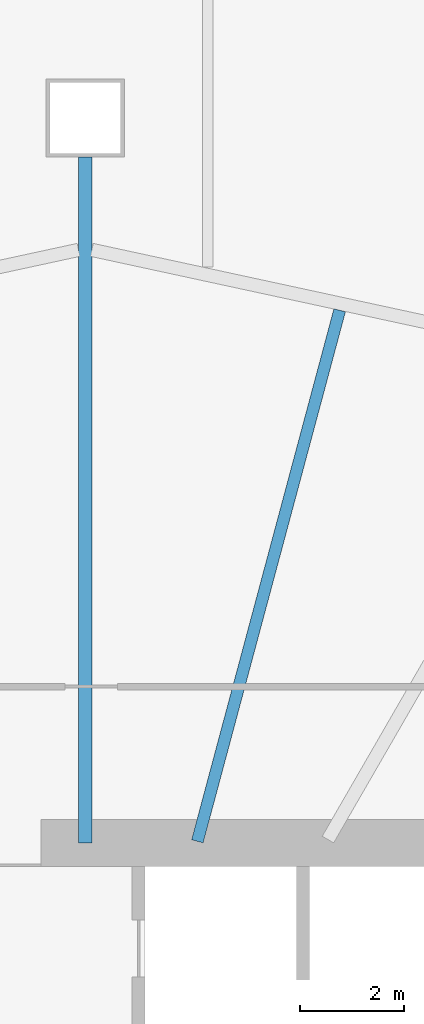
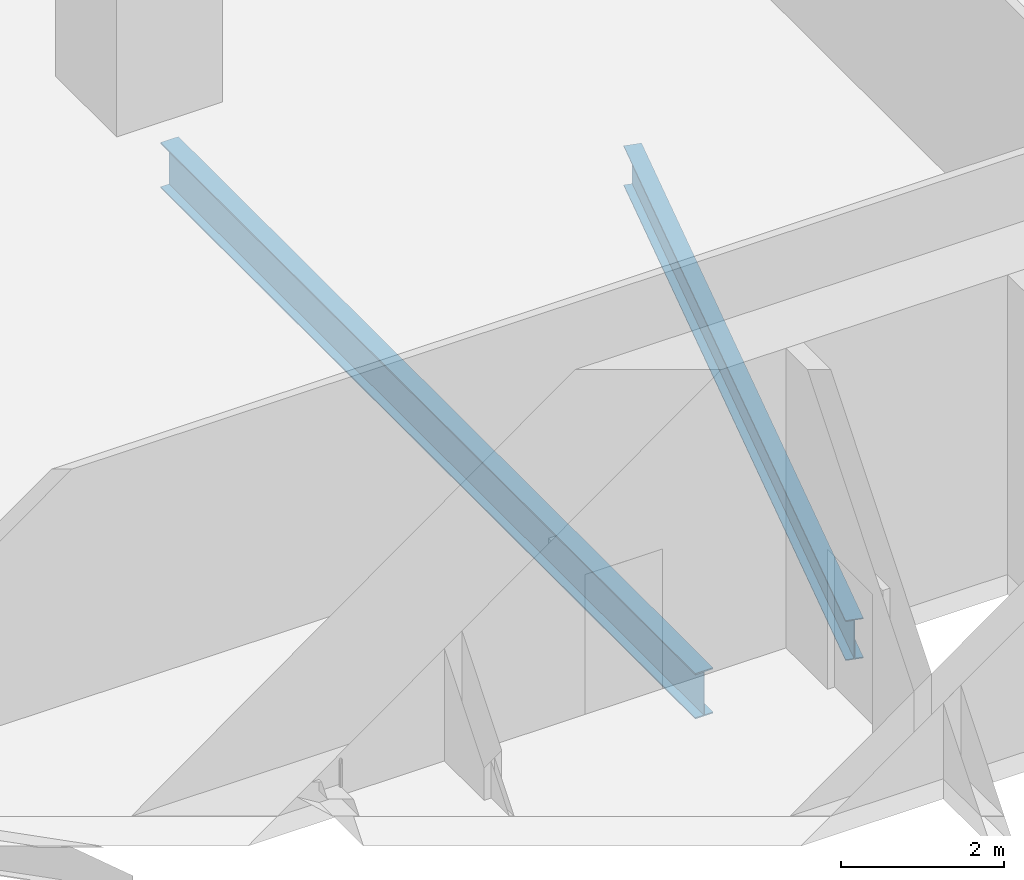
# One storey, part 16 of 52: 2 beams.
"""IFC4 building model written with IfcOpenShell, lengths in metres."""

from ifc_helpers import new_model, si_unit, direction, frame, origin, origin_2d, place, context, subcontext, project, spatial, i_section, extrude, material, material_profile, profile_set, type_object, element, save


model = new_model("IFC4")

# Units and contexts
model_context = context("Model", 3, precision=1e-05, world=origin(), true_north=direction((0.0, 1.0)))
body_context = subcontext(model_context, "Body", "Model", "MODEL_VIEW")
ifc_project = project(units=[si_unit("LENGTHUNIT", "METRE"), si_unit("AREAUNIT", "SQUARE_METRE"), si_unit("VOLUMEUNIT", "CUBIC_METRE"), si_unit("PLANEANGLEUNIT", "RADIAN"), si_unit("MASSUNIT", "GRAM", prefix="KILO")], contexts=[model_context])

# Site, building, storey
site_placement = place(None, origin())
site = spatial("IfcSite", under=ifc_project, at=site_placement, CompositionType="ELEMENT")
building_placement = place(site_placement, origin())
building = spatial("IfcBuilding", under=site, at=building_placement, Name="Rimbun Link Towers", CompositionType="ELEMENT")
storey_placement = place(building_placement, frame((0.0, 0.0, 21.0)))
storey = spatial("IfcBuildingStorey", under=building, at=storey_placement, Name="L04", CompositionType="ELEMENT", Elevation=21.0)

# Beams
ifc_material_1 = material(Name="Steel S355J2", Category="steel")
ifc_material_profile_1 = material_profile(ifc_material_1, i_section(OverallWidth=0.2275390625, OverallDepth=0.6025390625, WebThickness=0.010498046875, FlangeThickness=0.014892578125, at=origin_2d()), Name="UB 610x229x101")
ifc_profile_set_1 = profile_set([ifc_material_profile_1], Name="Steel S355J2")
beam_type_1 = type_object("IfcBeamType", Name="UB 610x229x101", PredefinedType="BEAM", material=ifc_profile_set_1)
beam_1_placement = place(storey_placement, frame((-29.598388671875, 8.030517578125, -0.601318359375), z_axis=(0.258844096103, 0.965919113545, 0.0), x_axis=(-0.965919113545, 0.258844096103, 0.0)))
element("IfcBeam", 1, at=beam_1_placement, inside=storey, type_object=beam_type_1, Name="Radial beam T1 L04 05", PredefinedType="BEAM", context=body_context, shape_type="SweptSolid", body=[
    extrude(i_section(OverallWidth=0.2275390625, OverallDepth=0.6025390625, WebThickness=0.010498046875, FlangeThickness=0.014892578125, at=origin_2d()), origin(), (0.0, 0.0, 1.0), 10.544921875),
])
ifc_material_2 = material(Name="Steel S355J2", Category="steel")
ifc_material_profile_2 = material_profile(ifc_material_2, i_section(OverallWidth=0.253662109375, OverallDepth=0.68359375, WebThickness=0.012451171875, FlangeThickness=0.01904296875, at=origin_2d()), Name="UB 686x254x140")
ifc_profile_set_2 = profile_set([ifc_material_profile_2], Name="Steel S355J2")
beam_type_2 = type_object("IfcBeamType", Name="UB 686x254x140", PredefinedType="BEAM", material=ifc_profile_set_2)
beam_2_placement = place(storey_placement, frame((-31.75, 8.0009765625, -0.641845703125), z_axis=(0.0, 1.0, 0.0), x_axis=(-1.0, 0.0, 0.0)))
element("IfcBeam", 2, at=beam_2_placement, inside=storey, type_object=beam_type_2, Name="Radial beam T1 L04 06", PredefinedType="BEAM", context=body_context, shape_type="SweptSolid", body=[
    extrude(i_section(OverallWidth=0.253662109375, OverallDepth=0.68359375, WebThickness=0.012451171875, FlangeThickness=0.01904296875, at=origin_2d()), origin(), (0.0, 0.0, 1.0), 13.1533203125),
])

save(model, "model.ifc")
